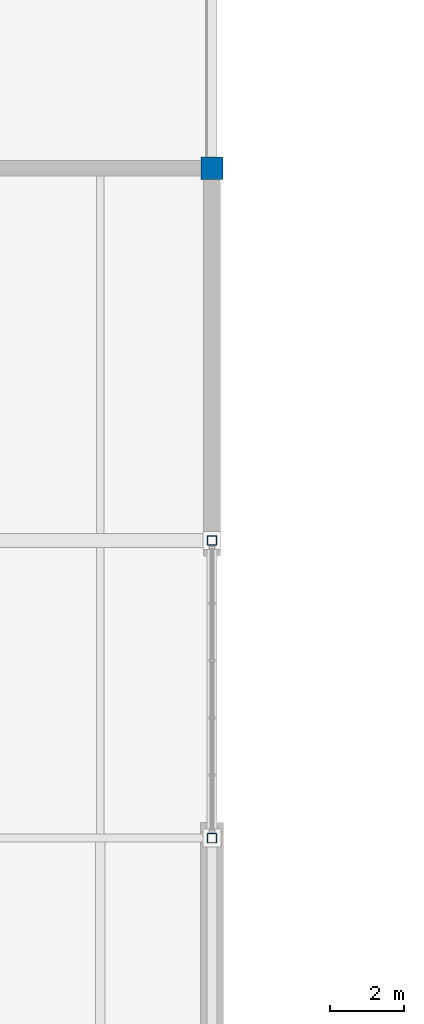
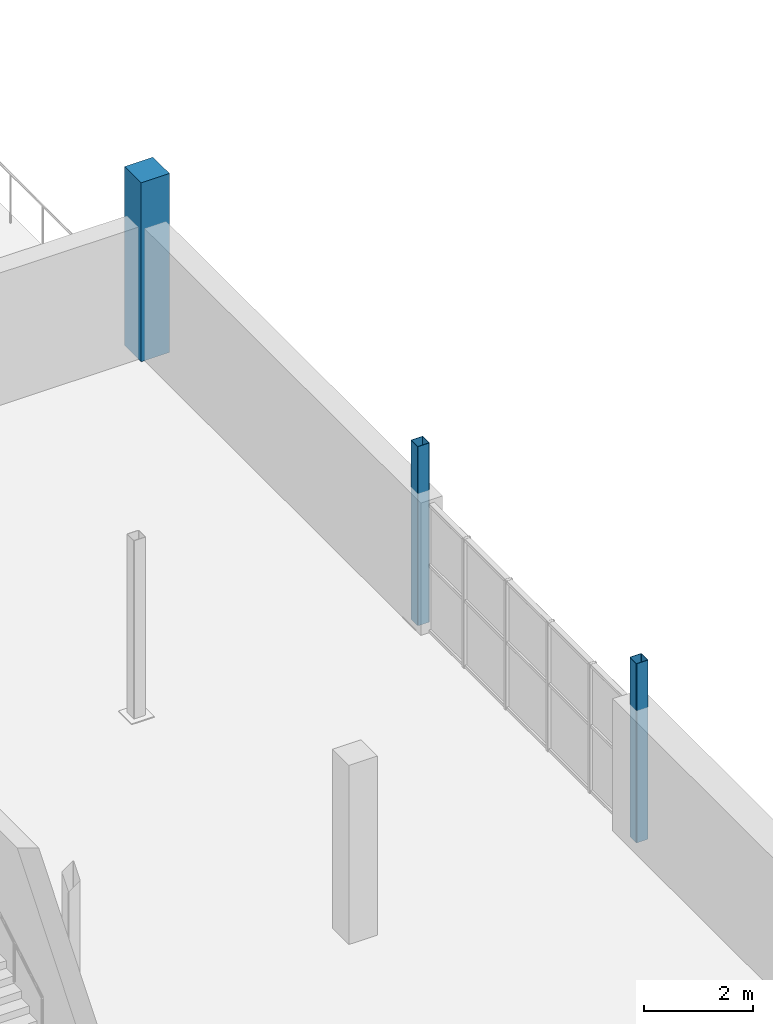
# One storey, part 12 of 96: 3 columns.
"""IFC4 building model written with IfcOpenShell, lengths in metres."""

from ifc_helpers import new_model, si_unit, direction, frame, origin, origin_2d, place, context, subcontext, project, spatial, rectangle, hollow_rectangle, extrude, material, material_profile, profile_set, type_object, element, save


model = new_model("IFC4")

# Units and contexts
model_context = context("Model", 3, precision=1e-05, world=origin(), true_north=direction((0.0, 1.0)))
body_context = subcontext(model_context, "Body", "Model", "MODEL_VIEW")
ifc_project = project(units=[si_unit("LENGTHUNIT", "METRE"), si_unit("AREAUNIT", "SQUARE_METRE"), si_unit("VOLUMEUNIT", "CUBIC_METRE"), si_unit("PLANEANGLEUNIT", "RADIAN"), si_unit("MASSUNIT", "GRAM", prefix="KILO")], contexts=[model_context])

# Site, building, storey
site_placement = place(None, origin())
site = spatial("IfcSite", under=ifc_project, at=site_placement, CompositionType="ELEMENT")
building_placement = place(site_placement, origin())
building = spatial("IfcBuilding", under=site, at=building_placement, Name="Verrall Gate Interchange", CompositionType="ELEMENT")
storey_placement = place(building_placement, frame((0.0, 0.0, 11.39990234375)))
storey = spatial("IfcBuildingStorey", under=building, at=storey_placement, Name="L03", CompositionType="ELEMENT", Elevation=11.39990234375)

# Columns
ifc_material_1 = material(Name="Concrete CSA A23.1 40 MPa (Class N)", Category="concrete")
ifc_material_profile_1 = material_profile(ifc_material_1, rectangle(XDim=0.60009765625, YDim=0.60009765625, at=origin_2d()), Name="RC600x600")
ifc_profile_set_1 = profile_set([ifc_material_profile_1], Name="Concrete CSA A23.1 40 MPa (Class N)")
column_type_1 = type_object("IfcColumnType", Name="C-04 Column RC600x600", PredefinedType="COLUMN", material=ifc_profile_set_1)
column_placement = place(storey_placement, frame((36.0, 84.0, 0.0), z_axis=(0.0, 0.0, 1.0), x_axis=(1.0, 0.0, 0.0)))
element("IfcColumn", 1, at=column_placement, inside=storey, type_object=column_type_1, Name="L03 Column COL-L03-0819 (C-04)", PredefinedType="COLUMN", context=body_context, shape_type="SweptSolid", body=[
    extrude(rectangle(XDim=0.60009765625, YDim=0.60009765625, at=origin_2d()), origin(), (0.0, 0.0, 1.0), 4.0),
])
ifc_material_2 = material(Name="Structural Steel CSA G40.21 350WT Cat 4", Category="steel")
ifc_material_profile_2 = material_profile(ifc_material_2, hollow_rectangle(XDim=0.25390625, YDim=0.25390625, WallThickness=0.009521484375, InnerFilletRadius=0.009521484375, OuterFilletRadius=0.01904296875, at=origin_2d()), Name="HSS254x254x9.5")
ifc_profile_set_2 = profile_set([ifc_material_profile_2], Name="Structural Steel CSA G40.21 350WT Cat 4")
column_type_2 = type_object("IfcColumnType", Name="C-13 Column HSS254x254x9.5", PredefinedType="COLUMN", material=ifc_profile_set_2)
for number, where, z_axis, x_axis, name in (
    (2, (36.0, 66.0, 0.0), (0.0, 0.0, 1.0), (1.0, 0.0, 0.0), "L03 Column COL-L03-0806 (C-13)"),
    (3, (36.0, 74.0, 0.0), (0.0, 0.0, 1.0), (1.0, 0.0, 0.0), "L03 Column COL-L03-0813 (C-13)"),
):
    element("IfcColumn", number, at=place(storey_placement, frame(where, z_axis=z_axis, x_axis=x_axis)), inside=storey, type_object=column_type_2, Name=name, PredefinedType="COLUMN", context=body_context, shape_type="SweptSolid", body=[
        extrude(hollow_rectangle(XDim=0.25390625, YDim=0.25390625, WallThickness=0.009521484375, InnerFilletRadius=0.009521484375, OuterFilletRadius=0.01904296875, at=origin_2d()), origin(), (0.0, 0.0, 1.0), 4.0),
    ])

save(model, "model.ifc")
